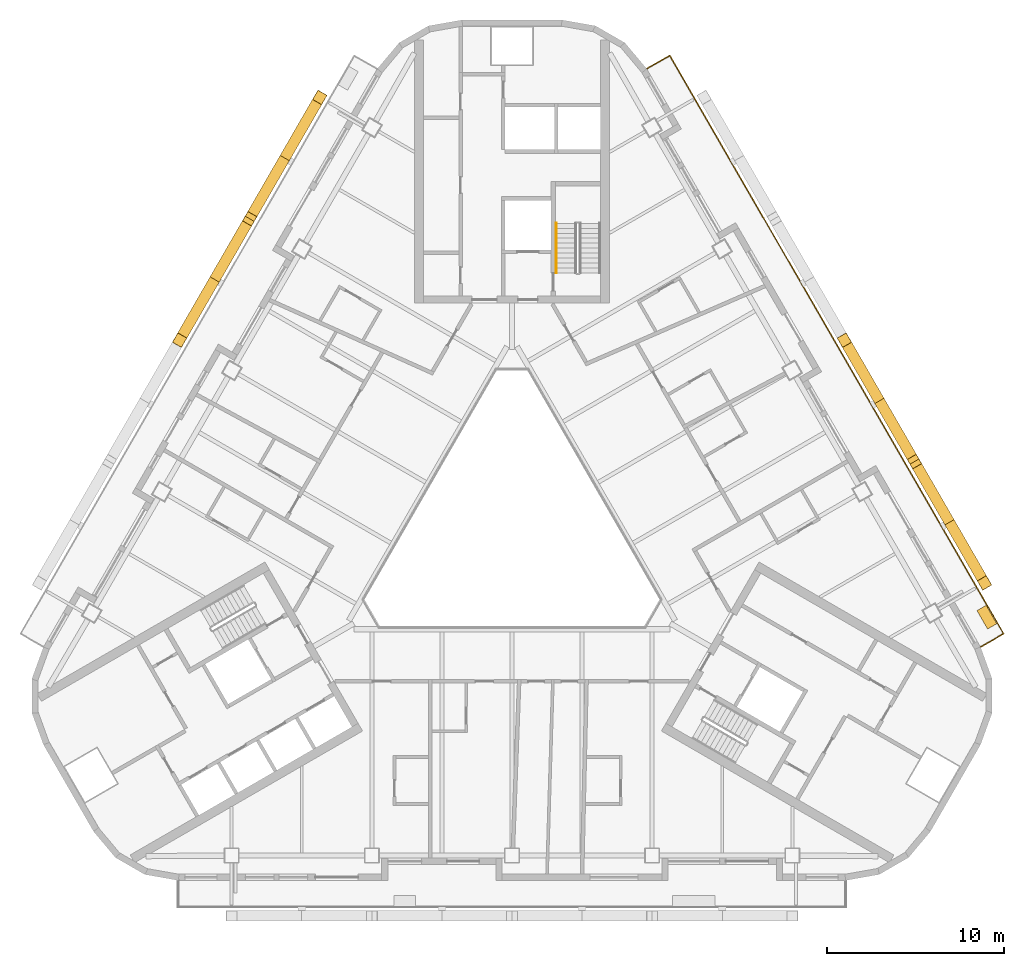
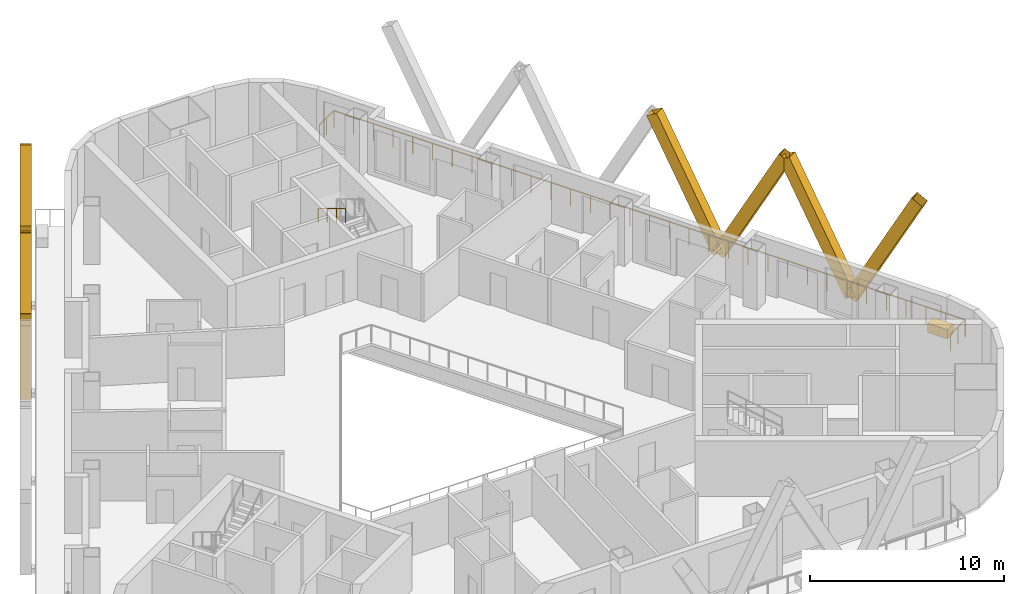
# One storey, part 13 of 14: 8 shading devices, 2 railings, 1 covering.
"""IFC4 building model written with IfcOpenShell, lengths in metres."""

from ifc_helpers import new_model, si_unit, direction, frame, origin, origin_2d, place, context, subcontext, project, spatial, rectangle, hollow_rectangle, circle, extrude, material, material_profile, profile_set, type_object, element, save


model = new_model("IFC4")

# Units and contexts
model_context = context("Model", 3, precision=1e-05, world=origin(), true_north=direction((0.0, 1.0)))
body_context = subcontext(model_context, "Body", "Model", "MODEL_VIEW")
ifc_project = project(units=[si_unit("LENGTHUNIT", "METRE"), si_unit("AREAUNIT", "SQUARE_METRE"), si_unit("VOLUMEUNIT", "CUBIC_METRE"), si_unit("PLANEANGLEUNIT", "RADIAN"), si_unit("MASSUNIT", "GRAM", prefix="KILO")], contexts=[model_context])

# Site, building, storey
site_placement = place(None, origin())
site = spatial("IfcSite", under=ifc_project, at=site_placement, CompositionType="ELEMENT")
building_placement = place(site_placement, origin())
building = spatial("IfcBuilding", under=site, at=building_placement, Name="Apuvela Tower Hotel", CompositionType="ELEMENT")
storey_placement = place(building_placement, frame((0.0, 0.0, 154.0)))
storey = spatial("IfcBuildingStorey", under=building, at=storey_placement, Name="L36", CompositionType="ELEMENT", Elevation=154.0)

# Railing
ifc_material_1 = material(Name="Stainless steel 316 handrail", Category="steel")
railing_type_1 = type_object("IfcRailingType", Name="COR-HANDRAIL-900", PredefinedType="HANDRAIL", material=ifc_material_1)
railing_1_placement = place(storey_placement, frame((2.5, 17.39990234375, 2.01806640625)))
element("IfcRailing", 1, at=railing_1_placement, inside=storey, type_object=railing_type_1, Name="L36 ST1 stair handrail 2", PredefinedType="HANDRAIL", context=body_context, shape_type="SweptSolid", body=[
    extrude(circle(Radius=0.02392578125, at=origin_2d()), frame((0.0, 0.0, 0.8759765625), z_axis=(0.0, -0.857222391501, 0.514946377315), x_axis=(1.0, 0.0, 0.0)), (0.0, 0.0, 1.0), 3.26611328125),
    extrude(rectangle(XDim=0.0419921875, YDim=0.0419921875, at=origin_2d()), origin(), (0.0, 0.0, 1.0), 0.851806640625),
    extrude(rectangle(XDim=0.0419921875, YDim=0.0419921875, at=origin_2d()), frame((0.0, -0.933349609375, 0.560546875)), (0.0, 0.0, 1.0), 0.851806640625),
    extrude(rectangle(XDim=0.0419921875, YDim=0.0419921875, at=origin_2d()), frame((0.0, -1.866455078125, 1.121337890625)), (0.0, 0.0, 1.0), 0.851806640625),
    extrude(rectangle(XDim=0.0419921875, YDim=0.0419921875, at=origin_2d()), frame((0.0, -2.7998046875, 1.681884765625)), (0.0, 0.0, 1.0), 0.851806640625),
])

# Shading devices
ifc_material_2 = material(Name="Aluminium 6063-T6, black anodised", Category="aluminium")
ifc_material_profile = material_profile(ifc_material_2, hollow_rectangle(XDim=0.60009765625, YDim=0.699951171875, WallThickness=0.011962890625, at=origin_2d()), Name="AL BOX 700x600x12")
ifc_profile_set = profile_set([ifc_material_profile], Name="Aluminium 6063-T6, black anodised")
shading_device_type = type_object("IfcShadingDeviceType", Name="ENV-FIN-700x600", PredefinedType="USERDEFINED", material=ifc_profile_set)
for number, where, z_axis, x_axis, name in (
    (2, (24.656982421875, 0.552490234375, -0.10009765625), (0.235457834389, -0.407787356937, 0.88219560175), (0.866005453737, 0.500034552904, 0.0), "Lattice fin NE345"),
    (3, (24.656982421875, 0.552490234375, -0.10009765625), (-0.235427548578, 0.407814415956, 0.882191176281), (-0.866047669374, -0.499961432884, 0.0), "Lattice fin NE346"),
    (4, (20.70703125, 7.394287109375, -0.10009765625), (0.235455039791, -0.407811621453, 0.882185131163), (0.866020906874, 0.500007788796, 0.0), "Lattice fin NE347"),
):
    element("IfcShadingDevice", number, at=place(storey_placement, frame(where, z_axis=z_axis, x_axis=x_axis)), inside=storey, type_object=shading_device_type, Name=name, ObjectType="FIN", PredefinedType="USERDEFINED", context=body_context, shape_type="SweptSolid", body=[
        extrude(hollow_rectangle(XDim=0.60009765625, YDim=0.699951171875, WallThickness=0.011962890625, at=origin_2d()), origin(), (0.0, 0.0, 1.0), 8.388427734375),
    ])
shading_device_placement = place(storey_placement, frame((20.70703125, 7.394287109375, -0.10009765625), z_axis=(-0.235430342887, 0.407790151341, 0.882201647084), x_axis=(-0.866032218625, -0.499988196164, 0.0)))
element("IfcShadingDevice", 5, at=shading_device_placement, inside=storey, type_object=shading_device_type, Name="Lattice fin NE348", ObjectType="FIN", PredefinedType="USERDEFINED", context=body_context, shape_type="SweptSolid", body=[
    extrude(hollow_rectangle(XDim=0.60009765625, YDim=0.699951171875, WallThickness=0.011962890625, at=origin_2d()), origin(), (0.0, 0.0, 1.0), 8.38818359375),
])
for number, where, z_axis, x_axis, name in (
    (6, (-12.80712890625, 21.077392578125, -0.10009765625), (0.235455039791, 0.407811621453, 0.882185131163), (-0.866020906874, 0.500007788796, 0.0), "Lattice fin NW393"),
    (7, (-12.80712890625, 21.077392578125, -0.10009765625), (-0.235427548578, -0.407814415956, 0.882191176281), (0.866047669374, -0.499961432884, 0.0), "Lattice fin NW394"),
    (8, (-16.757080078125, 14.23583984375, -0.10009765625), (0.235457834389, 0.407787356937, 0.88219560175), (-0.866005453737, 0.500034552904, 0.0), "Lattice fin NW395"),
    (9, (-16.757080078125, 14.23583984375, -0.10009765625), (-0.235455039791, -0.407811621453, 0.882185131163), (0.866020906874, -0.500007788796, 0.0), "Lattice fin NW396"),
):
    element("IfcShadingDevice", number, at=place(storey_placement, frame(where, z_axis=z_axis, x_axis=x_axis)), inside=storey, type_object=shading_device_type, Name=name, ObjectType="FIN", PredefinedType="USERDEFINED", context=body_context, shape_type="SweptSolid", body=[
        extrude(hollow_rectangle(XDim=0.60009765625, YDim=0.699951171875, WallThickness=0.011962890625, at=origin_2d()), origin(), (0.0, 0.0, 1.0), 8.388427734375),
    ])

# Railing
ifc_material_3 = material(Name="Stainless steel 316 rail with laminated glass infill", Category="steel")
railing_type_2 = type_object("IfcRailingType", Name="ENV-GUARD-1100", PredefinedType="GUARDRAIL", material=ifc_material_3)
railing_2_placement = place(storey_placement, frame((26.407958984375, -6.47998046875, 0.0)))
element("IfcRailing", 10, at=railing_2_placement, inside=storey, type_object=railing_type_2, Name="Balcony guard NE L36", PredefinedType="GUARDRAIL", context=body_context, shape_type="SweptSolid", body=[
    extrude(rectangle(XDim=0.050048828125, YDim=0.050048828125, at=origin_2d()), frame((0.0, 0.0, 1.0751953125), z_axis=(0.866031096941, 0.499990139034, 0.0), x_axis=(-0.499990139034, 0.866031096941, 0.0)), (0.0, 0.0, 1.0), 1.5),
    extrude(rectangle(XDim=0.050048828125, YDim=0.050048828125, at=origin_2d()), frame((1.299072265625, 0.75, 1.0751953125), z_axis=(-0.500000437506, 0.86602515119, 0.0), x_axis=(-0.86602515119, -0.500000437506, 0.0)), (0.0, 0.0, 1.0), 37.6318359375),
    extrude(rectangle(XDim=0.050048828125, YDim=0.050048828125, at=origin_2d()), frame((-17.516845703125, 33.340087890625, 1.0751953125), z_axis=(-0.86599040064, -0.500060622324, 0.0), x_axis=(0.500060622324, -0.86599040064, 0.0)), (0.0, 0.0, 1.0), 1.499755859375),
    extrude(rectangle(XDim=0.0400390625, YDim=0.0400390625, at=origin_2d()), origin(), (0.0, 0.0, 1.0), 1.050048828125),
    extrude(rectangle(XDim=0.0400390625, YDim=0.0400390625, at=origin_2d()), frame((0.6494140625, 0.375, 0.0)), (0.0, 0.0, 1.0), 1.050048828125),
    extrude(rectangle(XDim=0.0400390625, YDim=0.0400390625, at=origin_2d()), frame((1.299072265625, 0.75, 0.0)), (0.0, 0.0, 1.0), 1.050048828125),
    extrude(rectangle(XDim=0.0400390625, YDim=0.0400390625, at=origin_2d()), frame((0.711181640625, 1.7685546875, 0.0)), (0.0, 0.0, 1.0), 1.050048828125),
    extrude(rectangle(XDim=0.0400390625, YDim=0.0400390625, at=origin_2d()), frame((0.123046875, 2.786865234375, 0.0)), (0.0, 0.0, 1.0), 1.050048828125),
    extrude(rectangle(XDim=0.0400390625, YDim=0.0400390625, at=origin_2d()), frame((-0.46484375, 3.805419921875, 0.0)), (0.0, 0.0, 1.0), 1.050048828125),
    extrude(rectangle(XDim=0.0400390625, YDim=0.0400390625, at=origin_2d()), frame((-1.052978515625, 4.82373046875, 0.0)), (0.0, 0.0, 1.0), 1.050048828125),
    extrude(rectangle(XDim=0.0400390625, YDim=0.0400390625, at=origin_2d()), frame((-1.640869140625, 5.84228515625, 0.0)), (0.0, 0.0, 1.0), 1.050048828125),
    extrude(rectangle(XDim=0.0400390625, YDim=0.0400390625, at=origin_2d()), frame((-2.22900390625, 6.860595703125, 0.0)), (0.0, 0.0, 1.0), 1.050048828125),
    extrude(rectangle(XDim=0.0400390625, YDim=0.0400390625, at=origin_2d()), frame((-2.81689453125, 7.879150390625, 0.0)), (0.0, 0.0, 1.0), 1.050048828125),
    extrude(rectangle(XDim=0.0400390625, YDim=0.0400390625, at=origin_2d()), frame((-3.40478515625, 8.8974609375, 0.0)), (0.0, 0.0, 1.0), 1.050048828125),
    extrude(rectangle(XDim=0.0400390625, YDim=0.0400390625, at=origin_2d()), frame((-3.992919921875, 9.916015625, 0.0)), (0.0, 0.0, 1.0), 1.050048828125),
    extrude(rectangle(XDim=0.0400390625, YDim=0.0400390625, at=origin_2d()), frame((-4.580810546875, 10.934326171875, 0.0)), (0.0, 0.0, 1.0), 1.050048828125),
    extrude(rectangle(XDim=0.0400390625, YDim=0.0400390625, at=origin_2d()), frame((-5.1689453125, 11.952880859375, 0.0)), (0.0, 0.0, 1.0), 1.050048828125),
    extrude(rectangle(XDim=0.0400390625, YDim=0.0400390625, at=origin_2d()), frame((-5.7568359375, 12.97119140625, 0.0)), (0.0, 0.0, 1.0), 1.050048828125),
    extrude(rectangle(XDim=0.0400390625, YDim=0.0400390625, at=origin_2d()), frame((-6.344970703125, 13.98974609375, 0.0)), (0.0, 0.0, 1.0), 1.050048828125),
    extrude(rectangle(XDim=0.0400390625, YDim=0.0400390625, at=origin_2d()), frame((-6.932861328125, 15.008056640625, 0.0)), (0.0, 0.0, 1.0), 1.050048828125),
    extrude(rectangle(XDim=0.0400390625, YDim=0.0400390625, at=origin_2d()), frame((-7.52099609375, 16.026611328125, 0.0)), (0.0, 0.0, 1.0), 1.050048828125),
    extrude(rectangle(XDim=0.0400390625, YDim=0.0400390625, at=origin_2d()), frame((-8.10888671875, 17.044921875, 0.0)), (0.0, 0.0, 1.0), 1.050048828125),
    extrude(rectangle(XDim=0.0400390625, YDim=0.0400390625, at=origin_2d()), frame((-8.69677734375, 18.0634765625, 0.0)), (0.0, 0.0, 1.0), 1.050048828125),
    extrude(rectangle(XDim=0.0400390625, YDim=0.0400390625, at=origin_2d()), frame((-9.284912109375, 19.08203125, 0.0)), (0.0, 0.0, 1.0), 1.050048828125),
    extrude(rectangle(XDim=0.0400390625, YDim=0.0400390625, at=origin_2d()), frame((-9.872802734375, 20.100341796875, 0.0)), (0.0, 0.0, 1.0), 1.050048828125),
    extrude(rectangle(XDim=0.0400390625, YDim=0.0400390625, at=origin_2d()), frame((-10.4609375, 21.118896484375, 0.0)), (0.0, 0.0, 1.0), 1.050048828125),
    extrude(rectangle(XDim=0.0400390625, YDim=0.0400390625, at=origin_2d()), frame((-11.048828125, 22.13720703125, 0.0)), (0.0, 0.0, 1.0), 1.050048828125),
    extrude(rectangle(XDim=0.0400390625, YDim=0.0400390625, at=origin_2d()), frame((-11.636962890625, 23.15576171875, 0.0)), (0.0, 0.0, 1.0), 1.050048828125),
    extrude(rectangle(XDim=0.0400390625, YDim=0.0400390625, at=origin_2d()), frame((-12.224853515625, 24.174072265625, 0.0)), (0.0, 0.0, 1.0), 1.050048828125),
    extrude(rectangle(XDim=0.0400390625, YDim=0.0400390625, at=origin_2d()), frame((-12.81298828125, 25.192626953125, 0.0)), (0.0, 0.0, 1.0), 1.050048828125),
    extrude(rectangle(XDim=0.0400390625, YDim=0.0400390625, at=origin_2d()), frame((-13.40087890625, 26.2109375, 0.0)), (0.0, 0.0, 1.0), 1.050048828125),
    extrude(rectangle(XDim=0.0400390625, YDim=0.0400390625, at=origin_2d()), frame((-13.98876953125, 27.2294921875, 0.0)), (0.0, 0.0, 1.0), 1.050048828125),
    extrude(rectangle(XDim=0.0400390625, YDim=0.0400390625, at=origin_2d()), frame((-14.576904296875, 28.247802734375, 0.0)), (0.0, 0.0, 1.0), 1.050048828125),
    extrude(rectangle(XDim=0.0400390625, YDim=0.0400390625, at=origin_2d()), frame((-15.164794921875, 29.266357421875, 0.0)), (0.0, 0.0, 1.0), 1.050048828125),
    extrude(rectangle(XDim=0.0400390625, YDim=0.0400390625, at=origin_2d()), frame((-15.7529296875, 30.28466796875, 0.0)), (0.0, 0.0, 1.0), 1.050048828125),
    extrude(rectangle(XDim=0.0400390625, YDim=0.0400390625, at=origin_2d()), frame((-16.3408203125, 31.30322265625, 0.0)), (0.0, 0.0, 1.0), 1.050048828125),
    extrude(rectangle(XDim=0.0400390625, YDim=0.0400390625, at=origin_2d()), frame((-16.928955078125, 32.321533203125, 0.0)), (0.0, 0.0, 1.0), 1.050048828125),
    extrude(rectangle(XDim=0.0400390625, YDim=0.0400390625, at=origin_2d()), frame((-17.516845703125, 33.340087890625, 0.0)), (0.0, 0.0, 1.0), 1.050048828125),
    extrude(rectangle(XDim=0.0400390625, YDim=0.0400390625, at=origin_2d()), frame((-18.166259765625, 32.965087890625, 0.0)), (0.0, 0.0, 1.0), 1.050048828125),
    extrude(rectangle(XDim=0.0400390625, YDim=0.0400390625, at=origin_2d()), frame((-18.815673828125, 32.590087890625, 0.0)), (0.0, 0.0, 1.0), 1.050048828125),
])

# Covering
ifc_material_4 = material(Name="Planting substrate and soil, planted")
covering_type = type_object("IfcCoveringType", Name="ENV-PLANTER-1200x600", PredefinedType="USERDEFINED", material=ifc_material_4)
covering_placement = place(storey_placement, frame((26.763916015625, -4.79638671875, 0.0), z_axis=(0.0, 0.0, 1.0), x_axis=(-0.5, 0.866025403784, 0.0)))
element("IfcCovering", 11, at=covering_placement, inside=storey, type_object=covering_type, Name="Planter NE3", ObjectType="PLANTER", PredefinedType="USERDEFINED", context=body_context, shape_type="SweptSolid", body=[
    extrude(rectangle(XDim=1.199951171875, YDim=0.60009765625, at=origin_2d()), origin(), (0.0, 0.0, 1.0), 0.60009765625),
])

save(model, "model.ifc")
